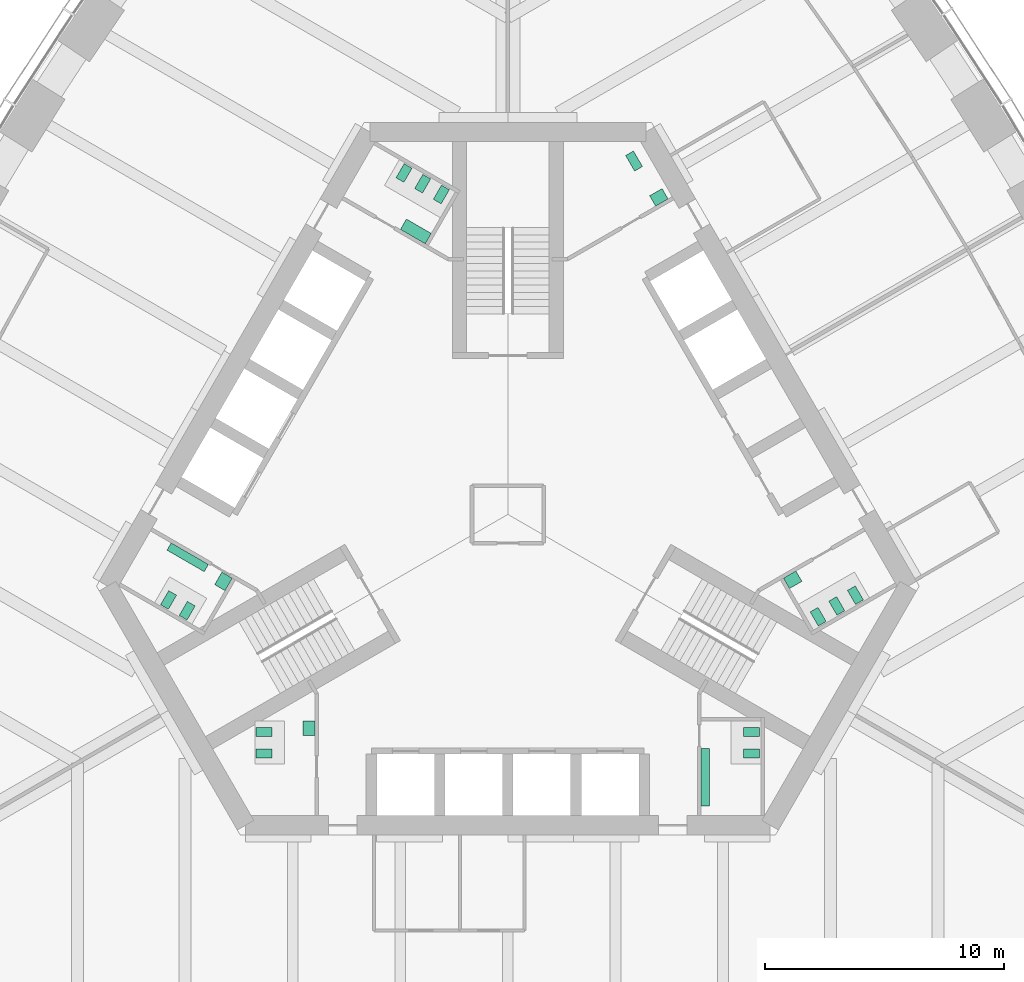
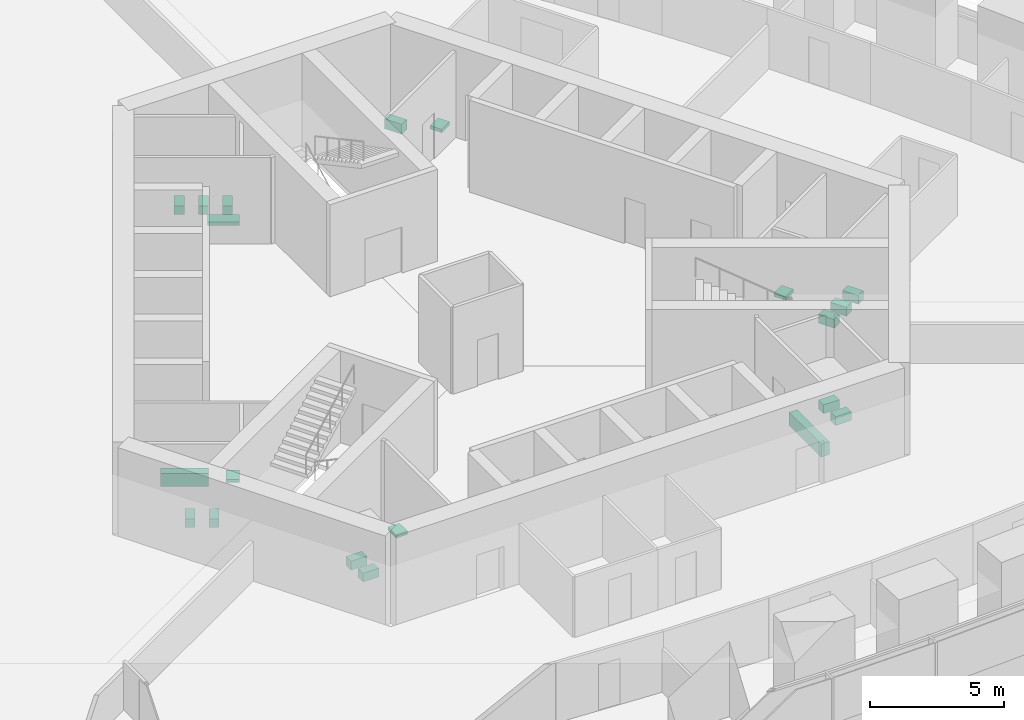
# One storey, part 17 of 18: 20 sanitary terminals.
"""IFC4 building model written with IfcOpenShell, lengths in metres."""

from ifc_helpers import new_model, si_unit, direction, frame, origin, place, context, subcontext, project, spatial, polyline, outline, extrude, material, type_object, element, save


model = new_model("IFC4")

# Units and contexts
model_context = context("Model", 3, precision=1e-05, world=origin(), true_north=direction((0.0, 1.0)))
body_context = subcontext(model_context, "Body", "Model", "MODEL_VIEW")
ifc_project = project(units=[si_unit("LENGTHUNIT", "METRE"), si_unit("AREAUNIT", "SQUARE_METRE"), si_unit("VOLUMEUNIT", "CUBIC_METRE"), si_unit("PLANEANGLEUNIT", "RADIAN"), si_unit("MASSUNIT", "GRAM", prefix="KILO")], contexts=[model_context])

# Site, building, storey
site_placement = place(None, origin())
site = spatial("IfcSite", under=ifc_project, at=site_placement, CompositionType="ELEMENT")
building_placement = place(site_placement, origin())
building = spatial("IfcBuilding", under=site, at=building_placement, Name="Trefoil Bronze Tower", CompositionType="ELEMENT")
storey_placement = place(building_placement, frame((0.0, 0.0, 174.5)))
storey = spatial("IfcBuildingStorey", under=building, at=storey_placement, Name="L40", CompositionType="ELEMENT", Elevation=174.5)

# Sanitary terminals
ifc_material_1 = material(Name="Vitreous china", Category="ceramic")
sanitary_terminal_type_1 = type_object("IfcSanitaryTerminalType", Name="Accessible WC pan", PredefinedType="TOILETPAN", material=ifc_material_1)
sanitary_terminal_1_placement = place(storey_placement, origin())
element("IfcSanitaryTerminal", 1, at=sanitary_terminal_1_placement, inside=storey, type_object=sanitary_terminal_type_1, Name="WC pan 1 Accessible WC L40", PredefinedType="TOILETPAN", context=body_context, shape_type="SweptSolid", body=[
    extrude(outline(polyline([(5.300537109375, 14.359130859375), (4.925537109375, 15.008544921875), (5.254638671875, 15.198486328125), (5.629638671875, 14.549072265625), (5.300537109375, 14.359130859375)])), origin(), (0.0, 0.0, 1.0), 0.449951171875),
])
ifc_material_2 = material(Name="Vitreous china", Category="ceramic")
sanitary_terminal_type_2 = type_object("IfcSanitaryTerminalType", Name="Accessible basin", PredefinedType="WASHHANDBASIN", material=ifc_material_2)
sanitary_terminal_2_placement = place(storey_placement, frame((0.0, 0.0, 0.64990234375)))
element("IfcSanitaryTerminal", 2, at=sanitary_terminal_2_placement, inside=storey, type_object=sanitary_terminal_type_2, Name="Wash basin Accessible WC L40", PredefinedType="WASHHANDBASIN", context=body_context, shape_type="SweptSolid", body=[
    extrude(outline(polyline([(6.181640625, 12.89306640625), (5.931640625, 13.326171875), (6.451171875, 13.626220703125), (6.701171875, 13.193115234375), (6.181640625, 12.89306640625)])), origin(), (0.0, 0.0, 1.0), 0.150146484375),
])
ifc_material_3 = material(Name="Vitreous china", Category="ceramic")
sanitary_terminal_type_3 = type_object("IfcSanitaryTerminalType", Name="Urinal range 3 urinals", PredefinedType="URINAL", material=ifc_material_3)
sanitary_terminal_3_placement = place(storey_placement, frame((0.0, 0.0, 0.39990234375)))
element("IfcSanitaryTerminal", 3, at=sanitary_terminal_3_placement, inside=storey, type_object=sanitary_terminal_type_3, Name="Urinal range WC (men) L40", PredefinedType="URINAL", context=body_context, shape_type="SweptSolid", body=[
    extrude(outline(polyline([(-12.524658203125, -2.09326171875), (-12.699462890625, -2.396240234375), (-14.25830078125, -1.496337890625), (-14.08349609375, -1.193115234375), (-12.524658203125, -2.09326171875)])), origin(), (0.0, 0.0, 1.0), 0.60009765625),
])
ifc_material_4 = material(Name="Vitreous china", Category="ceramic")
sanitary_terminal_type_4 = type_object("IfcSanitaryTerminalType", Name="Urinal range 4 urinals", PredefinedType="URINAL", material=ifc_material_4)
sanitary_terminal_4_placement = place(storey_placement, frame((0.0, 0.0, 0.39990234375)))
element("IfcSanitaryTerminal", 4, at=sanitary_terminal_4_placement, inside=storey, type_object=sanitary_terminal_type_4, Name="Urinal range WC (men) L40", PredefinedType="URINAL", context=body_context, shape_type="SweptSolid", body=[
    extrude(outline(polyline([(8.074951171875, -9.800048828125), (8.425048828125, -9.800048828125), (8.425048828125, -12.199951171875), (8.074951171875, -12.199951171875), (8.074951171875, -9.800048828125)])), origin(), (0.0, 0.0, 1.0), 0.60009765625),
])
ifc_material_5 = material(Name="Solid surface vanity", Category="plastic")
sanitary_terminal_type_5 = type_object("IfcSanitaryTerminalType", Name="Vanity unit 1 basins", PredefinedType="WASHHANDBASIN", material=ifc_material_5)
sanitary_terminal_5_placement = place(storey_placement, frame((0.0, 0.0, 0.75)))
element("IfcSanitaryTerminal", 5, at=sanitary_terminal_5_placement, inside=storey, type_object=sanitary_terminal_type_5, Name="Vanity unit WC (women) L40", PredefinedType="WASHHANDBASIN", context=body_context, shape_type="SweptSolid", body=[
    extrude(outline(polyline([(11.528564453125, -2.668212890625), (11.778564453125, -3.10107421875), (12.29833984375, -2.80126953125), (12.04833984375, -2.3681640625), (11.528564453125, -2.668212890625)])), origin(), (0.0, 0.0, 1.0), 0.14990234375),
])
sanitary_terminal_6_placement = place(storey_placement, frame((0.0, 0.0, 0.75)))
element("IfcSanitaryTerminal", 6, at=sanitary_terminal_6_placement, inside=storey, type_object=sanitary_terminal_type_5, Name="Vanity unit WC (men) L40", PredefinedType="WASHHANDBASIN", context=body_context, shape_type="SweptSolid", body=[
    extrude(outline(polyline([(-11.528564453125, -2.668212890625), (-11.82861328125, -3.187744140625), (-12.26171875, -2.937744140625), (-11.961669921875, -2.418212890625), (-11.528564453125, -2.668212890625)])), origin(), (0.0, 0.0, 1.0), 0.14990234375),
])
sanitary_terminal_7_placement = place(storey_placement, frame((0.0, 0.0, 0.75)))
element("IfcSanitaryTerminal", 7, at=sanitary_terminal_7_placement, inside=storey, type_object=sanitary_terminal_type_5, Name="Vanity unit WC (women) L40", PredefinedType="WASHHANDBASIN", context=body_context, shape_type="SweptSolid", body=[
    extrude(outline(polyline([(-8.074951171875, -8.64990234375), (-8.574951171875, -8.64990234375), (-8.574951171875, -9.25), (-8.074951171875, -9.25), (-8.074951171875, -8.64990234375)])), origin(), (0.0, 0.0, 1.0), 0.14990234375),
])
ifc_material_6 = material(Name="Solid surface vanity", Category="plastic")
sanitary_terminal_type_6 = type_object("IfcSanitaryTerminalType", Name="Vanity unit 2 basins", PredefinedType="WASHHANDBASIN", material=ifc_material_6)
sanitary_terminal_8_placement = place(storey_placement, frame((0.0, 0.0, 0.75)))
element("IfcSanitaryTerminal", 8, at=sanitary_terminal_8_placement, inside=storey, type_object=sanitary_terminal_type_6, Name="Vanity unit WC (women) L40", PredefinedType="WASHHANDBASIN", context=body_context, shape_type="SweptSolid", body=[
    extrude(outline(polyline([(-3.45361328125, 11.318115234375), (-3.20361328125, 11.751220703125), (-4.242919921875, 12.35107421875), (-4.492919921875, 11.918212890625), (-3.45361328125, 11.318115234375)])), origin(), (0.0, 0.0, 1.0), 0.14990234375),
])
ifc_material_7 = material(Name="Vitreous china", Category="ceramic")
sanitary_terminal_type_7 = type_object("IfcSanitaryTerminalType", Name="WC pan", PredefinedType="TOILETPAN", material=ifc_material_7)
sanitary_terminal_9_placement = place(storey_placement, origin())
element("IfcSanitaryTerminal", 9, at=sanitary_terminal_9_placement, inside=storey, type_object=sanitary_terminal_type_7, Name="WC pan 1 WC (men) L40", PredefinedType="TOILETPAN", context=body_context, shape_type="SweptSolid", body=[
    extrude(outline(polyline([(9.85498046875, -8.909912109375), (10.534912109375, -8.909912109375), (10.534912109375, -9.2900390625), (9.85498046875, -9.2900390625), (9.85498046875, -8.909912109375)])), origin(), (0.0, 0.0, 1.0), 0.39990234375),
])
sanitary_terminal_10_placement = place(storey_placement, origin())
element("IfcSanitaryTerminal", 10, at=sanitary_terminal_10_placement, inside=storey, type_object=sanitary_terminal_type_7, Name="WC pan 2 WC (men) L40", PredefinedType="TOILETPAN", context=body_context, shape_type="SweptSolid", body=[
    extrude(outline(polyline([(9.85498046875, -9.81005859375), (10.534912109375, -9.81005859375), (10.534912109375, -10.18994140625), (9.85498046875, -10.18994140625), (9.85498046875, -9.81005859375)])), origin(), (0.0, 0.0, 1.0), 0.39990234375),
])
sanitary_terminal_11_placement = place(storey_placement, origin())
element("IfcSanitaryTerminal", 11, at=sanitary_terminal_11_placement, inside=storey, type_object=sanitary_terminal_type_7, Name="WC pan 1 WC (women) L40", PredefinedType="TOILETPAN", context=body_context, shape_type="SweptSolid", body=[
    extrude(outline(polyline([(12.643798828125, -4.07958984375), (12.98388671875, -4.66845703125), (13.31298828125, -4.478515625), (12.972900390625, -3.8896484375), (12.643798828125, -4.07958984375)])), origin(), (0.0, 0.0, 1.0), 0.39990234375),
])
sanitary_terminal_12_placement = place(storey_placement, origin())
element("IfcSanitaryTerminal", 12, at=sanitary_terminal_12_placement, inside=storey, type_object=sanitary_terminal_type_7, Name="WC pan 2 WC (women) L40", PredefinedType="TOILETPAN", context=body_context, shape_type="SweptSolid", body=[
    extrude(outline(polyline([(13.423095703125, -3.629638671875), (13.76318359375, -4.218505859375), (14.09228515625, -4.028564453125), (13.752197265625, -3.439697265625), (13.423095703125, -3.629638671875)])), origin(), (0.0, 0.0, 1.0), 0.39990234375),
])
sanitary_terminal_13_placement = place(storey_placement, origin())
element("IfcSanitaryTerminal", 13, at=sanitary_terminal_13_placement, inside=storey, type_object=sanitary_terminal_type_7, Name="WC pan 3 WC (women) L40", PredefinedType="TOILETPAN", context=body_context, shape_type="SweptSolid", body=[
    extrude(outline(polyline([(14.20263671875, -3.1796875), (14.542724609375, -3.7685546875), (14.871826171875, -3.57861328125), (14.53173828125, -2.98974609375), (14.20263671875, -3.1796875)])), origin(), (0.0, 0.0, 1.0), 0.39990234375),
])
sanitary_terminal_14_placement = place(storey_placement, origin())
element("IfcSanitaryTerminal", 14, at=sanitary_terminal_14_placement, inside=storey, type_object=sanitary_terminal_type_7, Name="WC pan 1 WC (women) L40", PredefinedType="TOILETPAN", context=body_context, shape_type="SweptSolid", body=[
    extrude(outline(polyline([(-2.788818359375, 12.98974609375), (-2.44873046875, 13.57861328125), (-2.77783203125, 13.7685546875), (-3.117919921875, 13.1796875), (-2.788818359375, 12.98974609375)])), origin(), (0.0, 0.0, 1.0), 0.39990234375),
])
sanitary_terminal_15_placement = place(storey_placement, origin())
element("IfcSanitaryTerminal", 15, at=sanitary_terminal_15_placement, inside=storey, type_object=sanitary_terminal_type_7, Name="WC pan 2 WC (women) L40", PredefinedType="TOILETPAN", context=body_context, shape_type="SweptSolid", body=[
    extrude(outline(polyline([(-3.568115234375, 13.439697265625), (-3.228271484375, 14.028564453125), (-3.557373046875, 14.218505859375), (-3.897216796875, 13.629638671875), (-3.568115234375, 13.439697265625)])), origin(), (0.0, 0.0, 1.0), 0.39990234375),
])
sanitary_terminal_16_placement = place(storey_placement, origin())
element("IfcSanitaryTerminal", 16, at=sanitary_terminal_16_placement, inside=storey, type_object=sanitary_terminal_type_7, Name="WC pan 3 WC (women) L40", PredefinedType="TOILETPAN", context=body_context, shape_type="SweptSolid", body=[
    extrude(outline(polyline([(-4.34765625, 13.8896484375), (-4.007568359375, 14.478515625), (-4.336669921875, 14.66845703125), (-4.6767578125, 14.07958984375), (-4.34765625, 13.8896484375)])), origin(), (0.0, 0.0, 1.0), 0.39990234375),
])
sanitary_terminal_17_placement = place(storey_placement, origin())
element("IfcSanitaryTerminal", 17, at=sanitary_terminal_17_placement, inside=storey, type_object=sanitary_terminal_type_7, Name="WC pan 1 WC (men) L40", PredefinedType="TOILETPAN", context=body_context, shape_type="SweptSolid", body=[
    extrude(outline(polyline([(-13.076904296875, -3.82958984375), (-13.416748046875, -4.41845703125), (-13.745849609375, -4.228515625), (-13.406005859375, -3.6396484375), (-13.076904296875, -3.82958984375)])), origin(), (0.0, 0.0, 1.0), 0.39990234375),
])
sanitary_terminal_18_placement = place(storey_placement, origin())
element("IfcSanitaryTerminal", 18, at=sanitary_terminal_18_placement, inside=storey, type_object=sanitary_terminal_type_7, Name="WC pan 2 WC (men) L40", PredefinedType="TOILETPAN", context=body_context, shape_type="SweptSolid", body=[
    extrude(outline(polyline([(-13.856201171875, -3.379638671875), (-14.1962890625, -3.968505859375), (-14.525390625, -3.778564453125), (-14.185302734375, -3.189697265625), (-13.856201171875, -3.379638671875)])), origin(), (0.0, 0.0, 1.0), 0.39990234375),
])
sanitary_terminal_19_placement = place(storey_placement, origin())
element("IfcSanitaryTerminal", 19, at=sanitary_terminal_19_placement, inside=storey, type_object=sanitary_terminal_type_7, Name="WC pan 1 WC (women) L40", PredefinedType="TOILETPAN", context=body_context, shape_type="SweptSolid", body=[
    extrude(outline(polyline([(-9.85498046875, -8.909912109375), (-10.534912109375, -8.909912109375), (-10.534912109375, -9.2900390625), (-9.85498046875, -9.2900390625), (-9.85498046875, -8.909912109375)])), origin(), (0.0, 0.0, 1.0), 0.39990234375),
])
sanitary_terminal_20_placement = place(storey_placement, origin())
element("IfcSanitaryTerminal", 20, at=sanitary_terminal_20_placement, inside=storey, type_object=sanitary_terminal_type_7, Name="WC pan 2 WC (women) L40", PredefinedType="TOILETPAN", context=body_context, shape_type="SweptSolid", body=[
    extrude(outline(polyline([(-9.85498046875, -9.81005859375), (-10.534912109375, -9.81005859375), (-10.534912109375, -10.18994140625), (-9.85498046875, -10.18994140625), (-9.85498046875, -9.81005859375)])), origin(), (0.0, 0.0, 1.0), 0.39990234375),
])

save(model, "model.ifc")
